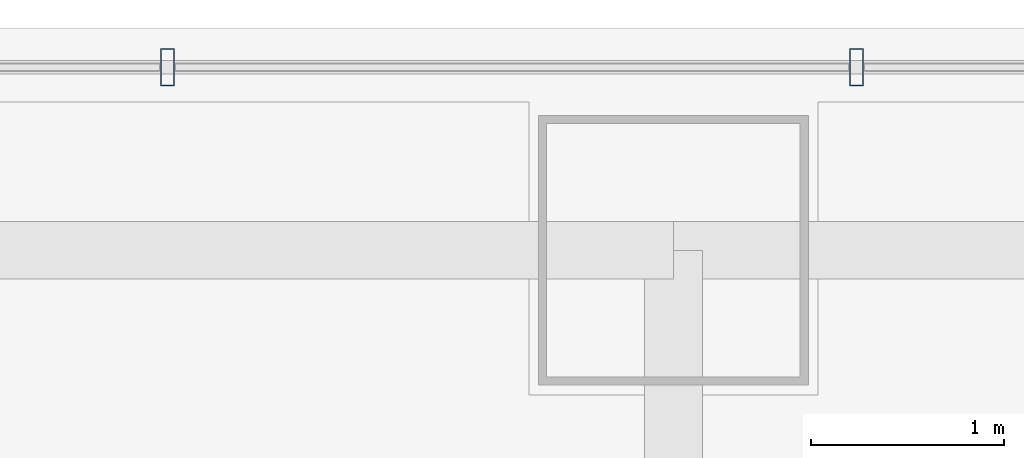
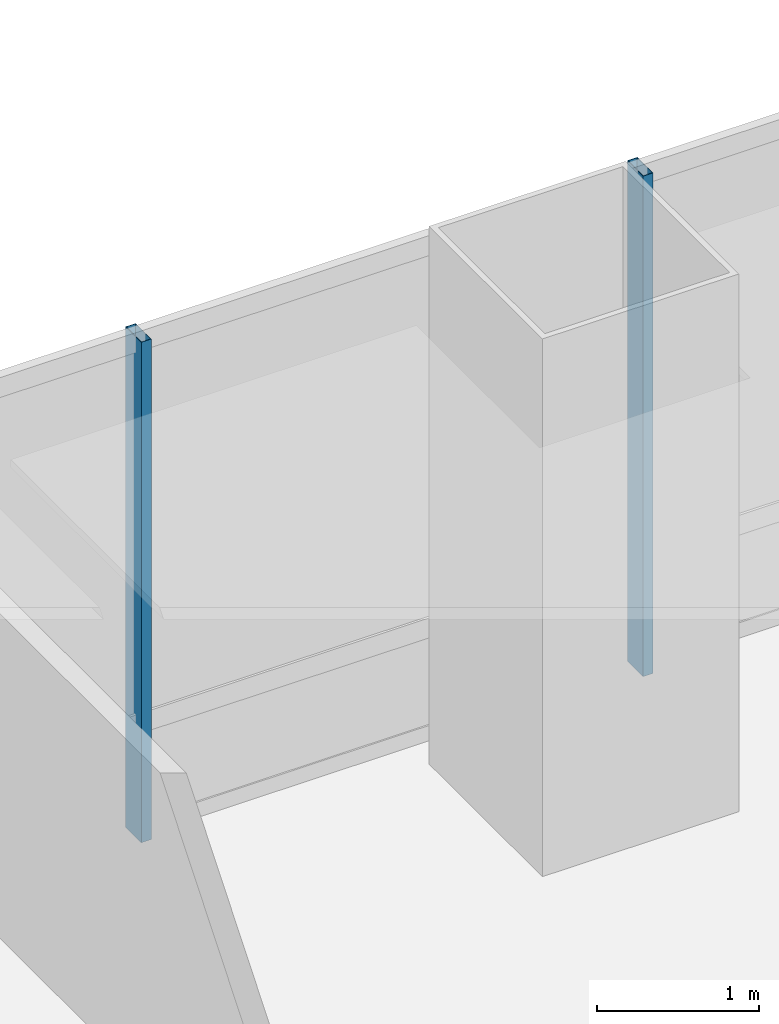
# One storey, part 25 of 46: 2 members, 1 element without a shape of its own.
"""IFC4 building model written with IfcOpenShell, lengths in metres."""

from ifc_helpers import new_model, si_unit, direction, frame, origin, origin_2d, place, context, subcontext, project, spatial, hollow_rectangle, extrude, material, material_profile, profile_set, type_object, element, aggregate, save


model = new_model("IFC4")

# Units and contexts
model_context = context("Model", 3, precision=1e-05, world=origin(), true_north=direction((0.0, 1.0)))
body_context = subcontext(model_context, "Body", "Model", "MODEL_VIEW")
ifc_project = project(units=[si_unit("LENGTHUNIT", "METRE"), si_unit("AREAUNIT", "SQUARE_METRE"), si_unit("VOLUMEUNIT", "CUBIC_METRE"), si_unit("PLANEANGLEUNIT", "RADIAN"), si_unit("MASSUNIT", "GRAM", prefix="KILO")], contexts=[model_context])

# Site, building, storey
site_placement = place(None, origin())
site = spatial("IfcSite", under=ifc_project, at=site_placement, CompositionType="ELEMENT")
building_placement = place(site_placement, origin())
building = spatial("IfcBuilding", under=site, at=building_placement, Name="Punatoya Terracotta Tower", CompositionType="ELEMENT")
storey_placement = place(building_placement, frame((0.0, 0.0, 200.550048828125)))
storey = spatial("IfcBuildingStorey", under=building, at=storey_placement, Name="L47", CompositionType="ELEMENT", Elevation=200.550048828125)

# Curtain wall, members
ifc_material_1 = material(Name="Aluminium 6063-T6 + Double Low-E Glass", Category="aluminium")
curtain_wall_type = type_object("IfcCurtainWallType", Name="CW-M2", PredefinedType="NOTDEFINED", material=ifc_material_1)
curtain_wall_placement = place(storey_placement, origin())
curtain_wall = element("IfcCurtainWall", 1, at=curtain_wall_placement, inside=storey, type_object=curtain_wall_type, Name="L47 Curtain Wall CW-L47-N09-1", PredefinedType="NOTDEFINED")
ifc_material_2 = material(Name="Aluminium 6063-T6", Category="aluminium")
ifc_material_profile = material_profile(ifc_material_2, hollow_rectangle(XDim=0.072021484375, YDim=0.195068359375, WallThickness=0.00439453125, at=origin_2d()))
ifc_profile_set = profile_set([ifc_material_profile], Name="Aluminium 6063-T6")
member_type = type_object("IfcMemberType", Name="CW-MUL-M2", PredefinedType="MULLION", material=ifc_profile_set)
member_1_placement = place(storey_placement, frame((4.75, 18.449951171875, 0.0), z_axis=(0.0, 0.0, 1.0), x_axis=(1.0, 0.0, 0.0)))
member_1 = element("IfcMember", 2, at=member_1_placement, type_object=member_type, Name="CW-L47-N09-1 Mullion 02", PredefinedType="MULLION", context=body_context, shape_type="SweptSolid", body=[
    extrude(hollow_rectangle(XDim=0.072021484375, YDim=0.195068359375, WallThickness=0.00439453125, at=origin_2d()), origin(), (0.0, 0.0, 1.0), 3.77001953125),
])
member_2_placement = place(storey_placement, frame((1.175048828125, 18.449951171875, 0.0), z_axis=(0.0, 0.0, 1.0), x_axis=(1.0, 0.0, 0.0)))
member_2 = element("IfcMember", 3, at=member_2_placement, type_object=member_type, Name="CW-L47-N09-1 Mullion 03", PredefinedType="MULLION", context=body_context, shape_type="SweptSolid", body=[
    extrude(hollow_rectangle(XDim=0.072021484375, YDim=0.195068359375, WallThickness=0.00439453125, at=origin_2d()), origin(), (0.0, 0.0, 1.0), 3.77001953125),
])
aggregate(curtain_wall, [member_1, member_2])

save(model, "model.ifc")
